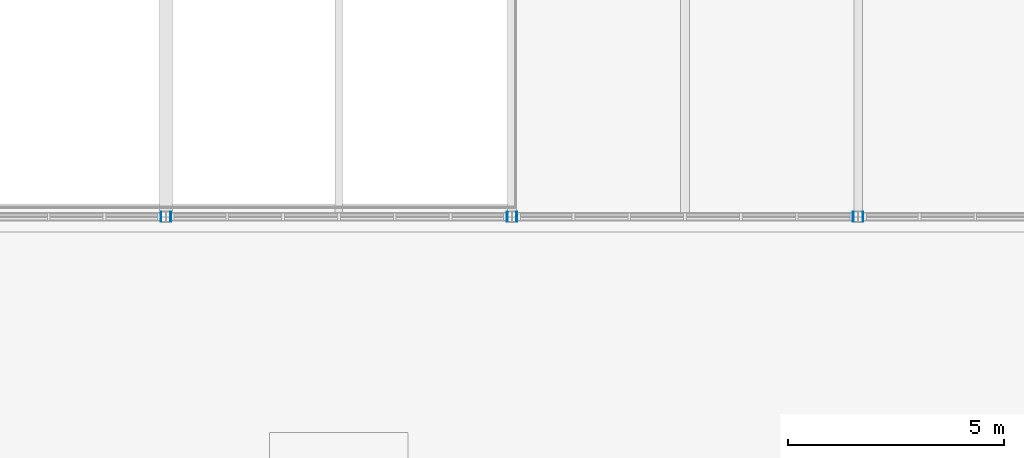
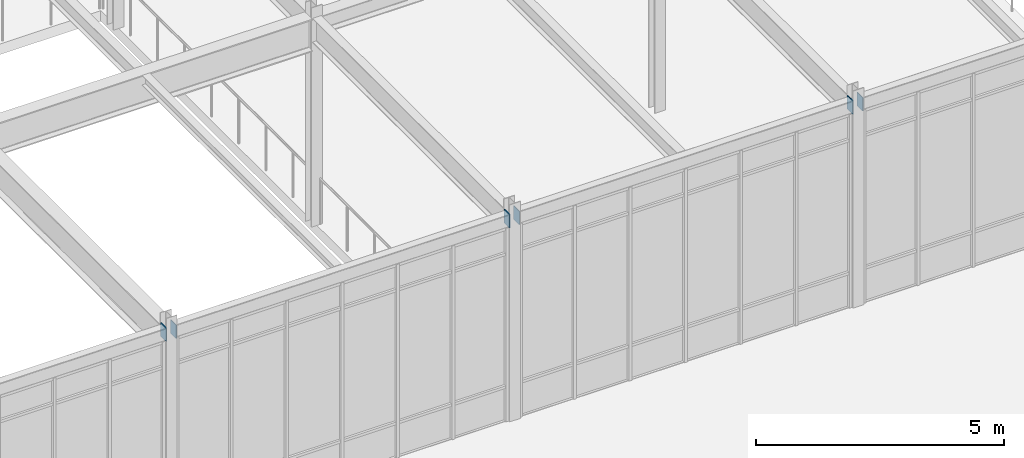
# One storey, part 119 of 184: 6 plates.
"""IFC4 building model written with IfcOpenShell, lengths in metres."""

from ifc_helpers import new_model, si_unit, direction, frame, origin, origin_2d, place, context, subcontext, project, spatial, rectangle, extrude, material, layer, layer_set, type_object, element, save


model = new_model("IFC4")

# Units and contexts
model_context = context("Model", 3, precision=1e-05, world=origin(), true_north=direction((0.0, 1.0)))
body_context = subcontext(model_context, "Body", "Model", "MODEL_VIEW")
ifc_project = project(units=[si_unit("LENGTHUNIT", "METRE"), si_unit("AREAUNIT", "SQUARE_METRE"), si_unit("VOLUMEUNIT", "CUBIC_METRE"), si_unit("PLANEANGLEUNIT", "RADIAN"), si_unit("MASSUNIT", "GRAM", prefix="KILO")], contexts=[model_context])

# Site, building, storey
site_placement = place(None, origin())
site = spatial("IfcSite", under=ifc_project, at=site_placement, CompositionType="ELEMENT")
building_placement = place(site_placement, origin())
building = spatial("IfcBuilding", under=site, at=building_placement, Name="Zhaolan Boulevard Law Courts", CompositionType="ELEMENT")
storey_placement = place(building_placement, frame((0.0, 0.0, 5.39990234375)))
storey = spatial("IfcBuildingStorey", under=building, at=storey_placement, Name="L01", CompositionType="ELEMENT", Elevation=5.39990234375)

# Plates
ifc_material = material(Name="Structural steel Q355B", Category="steel")
ifc_layer = layer(ifc_material, 0.02001953125)
ifc_layer_set = layer_set([ifc_layer])
plate_type = type_object("IfcPlateType", Name="END CAP PLATE 20", PredefinedType="SHEET", material=ifc_layer_set)
for number, where, z_axis, x_axis, name in (
    (1, (67.886962890625, 6.0, 4.822998046875), (0.0, 0.0, 1.0), (1.0, 0.0, 0.0), "Hollow Section End-Cap Plate ECP-0698"),
    (2, (68.113037109375, 6.0, 4.822998046875), (0.0, 0.0, 1.0), (1.0, 0.0, 0.0), "Hollow Section End-Cap Plate ECP-0699"),
    (3, (75.886962890625, 6.0, 4.822998046875), (0.0, 0.0, 1.0), (1.0, 0.0, 0.0), "Hollow Section End-Cap Plate ECP-0700"),
    (4, (76.113037109375, 6.0, 4.822998046875), (0.0, 0.0, 1.0), (1.0, 0.0, 0.0), "Hollow Section End-Cap Plate ECP-0701"),
    (5, (83.886962890625, 6.0, 4.822998046875), (0.0, 0.0, 1.0), (1.0, 0.0, 0.0), "Hollow Section End-Cap Plate ECP-0702"),
    (6, (84.113037109375, 6.0, 4.822998046875), (0.0, 0.0, 1.0), (1.0, 0.0, 0.0), "Hollow Section End-Cap Plate ECP-0703"),
):
    element("IfcPlate", number, at=place(storey_placement, frame(where, z_axis=z_axis, x_axis=x_axis)), inside=storey, type_object=plate_type, Name=name, PredefinedType="SHEET", context=body_context, shape_type="SweptSolid", body=[
        extrude(rectangle(XDim=0.02001953125, YDim=0.22998046875, at=origin_2d()), origin(), (0.0, 0.0, 1.0), 0.330078125),
    ])

save(model, "model.ifc")
